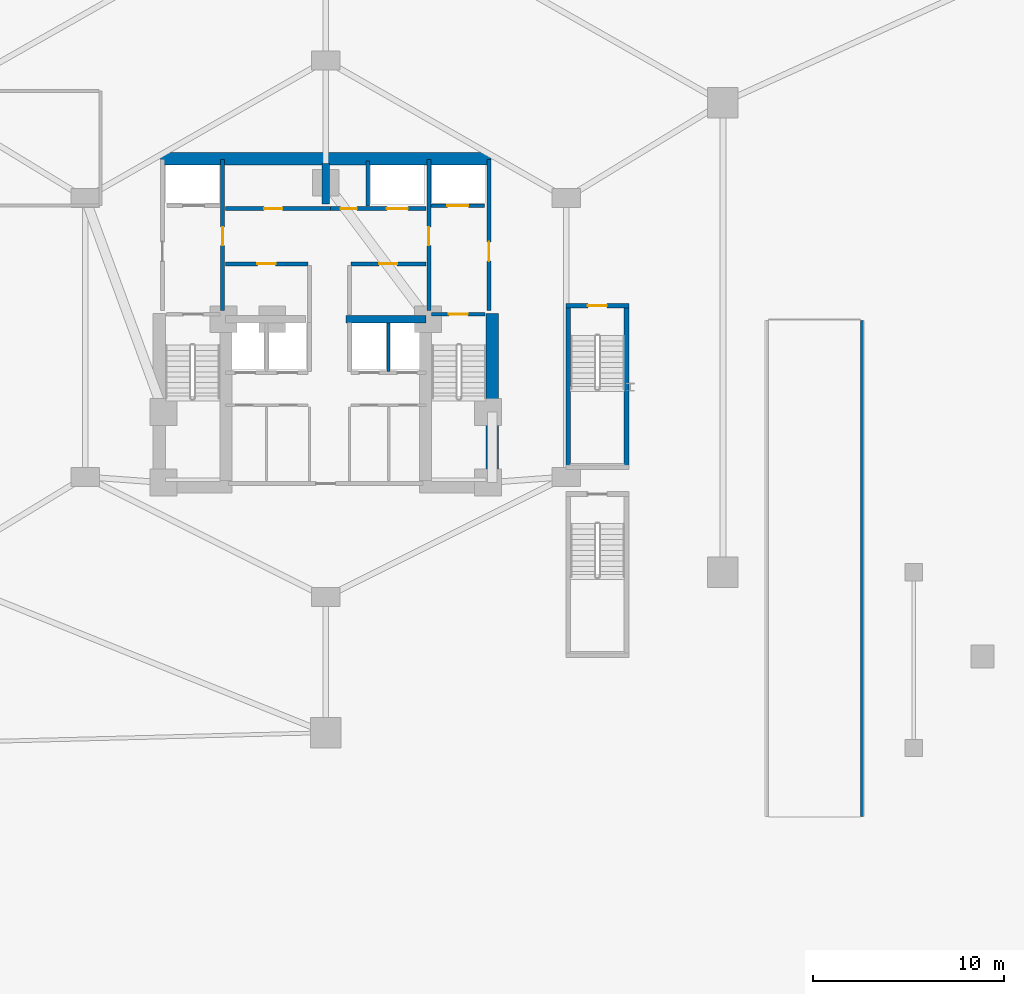
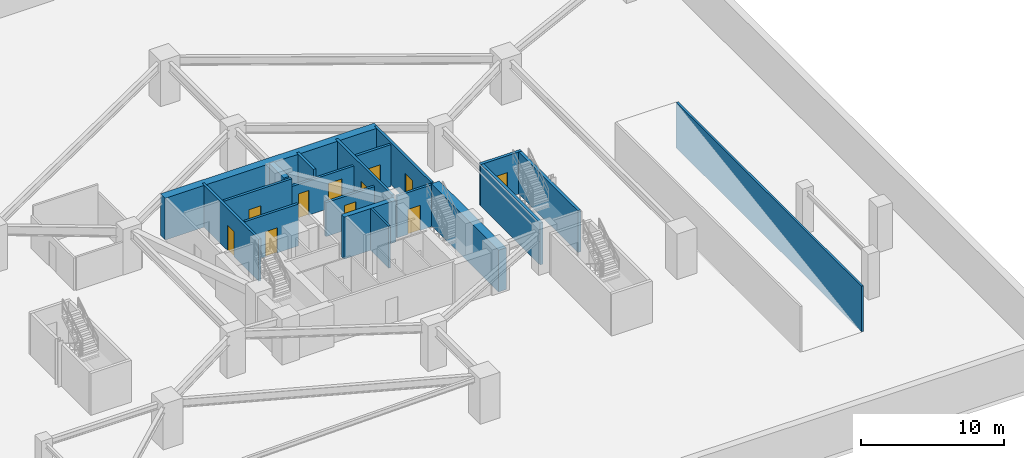
# One storey, part 7 of 12: 19 walls, 11 doors, 11 openings.
"""IFC4 building model written with IfcOpenShell, lengths in metres."""

from ifc_helpers import new_model, si_unit, direction, frame, frame_2d, origin, place, context, subcontext, project, spatial, rectangle, extrude, material, layer, layer_set, type_object, element, fill, save


model = new_model("IFC4")

# Units and contexts
model_context = context("Model", 3, precision=1e-05, world=origin(), true_north=direction((0.0, 1.0)))
body_context = subcontext(model_context, "Body", "Model", "MODEL_VIEW")
ifc_project = project(units=[si_unit("LENGTHUNIT", "METRE"), si_unit("AREAUNIT", "SQUARE_METRE"), si_unit("VOLUMEUNIT", "CUBIC_METRE"), si_unit("PLANEANGLEUNIT", "RADIAN"), si_unit("MASSUNIT", "GRAM", prefix="KILO")], contexts=[model_context])

# Site, building, storey
site_placement = place(None, origin())
site = spatial("IfcSite", under=ifc_project, at=site_placement, CompositionType="ELEMENT")
building_placement = place(site_placement, origin())
building = spatial("IfcBuilding", under=site, at=building_placement, Name="Miruveldt Soraemaru", CompositionType="ELEMENT")
storey_placement = place(building_placement, frame((0.0, 0.0, -7.800048828125)))
storey = spatial("IfcBuildingStorey", under=building, at=storey_placement, Name="B2", CompositionType="ELEMENT", Elevation=-7.800048828125)

# Walls
ifc_material_1 = material(Name="Concrete C70/85 (70 MPa)", Category="concrete")
ifc_layer_1 = layer(ifc_material_1, 0.5, Name="Concrete C70/85 (70 MPa)", Category="concrete")
ifc_layer_set_1 = layer_set([ifc_layer_1], Name="Concrete C70/85 (70 MPa)")
wall_type_1 = type_object("IfcWallType", Name="WALL-BW-500", PredefinedType="SHEAR", material=ifc_layer_set_1)
wall_1_placement = place(storey_placement, frame((44.0, 50.10009765625, 0.0), z_axis=(0.0, 0.0, 1.0), x_axis=(0.0, 1.0, 0.0)))
element("IfcWall", 1, at=wall_1_placement, inside=storey, type_object=wall_type_1, Name="B2 Core Buttress Shear Wall BN", PredefinedType="SHEAR", context=body_context, shape_type="SweptSolid", body=[
    extrude(rectangle(XDim=2.099853515625, YDim=0.39990234375, at=frame_2d((1.0498046875, 0.0))), origin(), (0.0, 0.0, 1.0), 3.580078125),
])
wall_2_placement = place(storey_placement, frame((45.050048828125, 44.050048828125, 0.0), z_axis=(0.0, 0.0, 1.0), x_axis=(1.0, 0.0, 0.0)))
element("IfcWall", 2, at=wall_2_placement, inside=storey, type_object=wall_type_1, Name="B2 Core Buttress Shear Wall BE", PredefinedType="SHEAR", context=body_context, shape_type="SweptSolid", body=[
    extrude(rectangle(XDim=4.199951171875, YDim=0.39990234375, at=frame_2d((2.10009765625, 0.0))), origin(), (0.0, 0.0, 1.0), 3.580078125),
])
ifc_material_2 = material(Name="Concrete C50/60 (50 MPa)", Category="concrete")
ifc_layer_2 = layer(ifc_material_2, 0.419921875, Name="Concrete C50/60 (50 MPa)", Category="concrete")
ifc_layer_set_2 = layer_set([ifc_layer_2], Name="Concrete C50/60 (50 MPa)")
wall_type_2 = type_object("IfcWallType", Name="WALL-CW-420", PredefinedType="SHEAR", material=ifc_layer_set_2)
wall_3_placement = place(storey_placement, frame((72.080078125, 18.02001953125, 0.0), z_axis=(0.0, 0.0, 1.0), x_axis=(0.0, 1.0, 0.0)))
element("IfcWall", 3, at=wall_3_placement, inside=storey, type_object=wall_type_2, Name="B2 Car Park Ramp Shaft Structural Side Wall E", PredefinedType="SHEAR", context=body_context, shape_type="SweptSolid", body=[
    extrude(rectangle(XDim=25.9599609375, YDim=0.159912109375, at=frame_2d((12.97998046875, 0.0))), origin(), (0.0, 0.0, 1.0), 3.900146484375),
])

# Wall, opening, door
wall_4_placement = place(storey_placement, frame((56.580078125, 44.75, 0.0), z_axis=(0.0, 0.0, 1.0), x_axis=(1.0, 0.0, 0.0)))
wall_4 = element("IfcWall", 4, at=wall_4_placement, inside=storey, type_object=wall_type_2, Name="B2 Podium Garden Feature Stair ST-4 Structural Shaft Wall N", PredefinedType="SHEAR", context=body_context, shape_type="SweptSolid", body=[
    extrude(rectangle(XDim=3.2900390625, YDim=0.239990234375, at=frame_2d((1.64501953125, 0.0))), origin(), (0.0, 0.0, 1.0), 3.580078125),
])
opening_1_placement = place(wall_4_placement, frame((1.14501953125, 0.0, 0.0)))
opening_1 = element("IfcOpeningElement", 5, at=opening_1_placement, cuts=wall_4, Name="Opening FD1", PredefinedType="OPENING", context=body_context, shape_type="SweptSolid", body=[
    extrude(rectangle(XDim=1.0, YDim=2.14990234375, at=frame_2d((0.5, 1.074951171875))), frame((0.0, 0.1298828125, 0.0), z_axis=(0.0, -1.0, 0.0), x_axis=(1.0, 0.0, 0.0)), (0.0, 0.0, 1.0), 0.260009765625),
])
ifc_material_3 = material(Name="Anodised aluminium EN AW-6063 T6", Category="aluminium")
door_type_1 = type_object("IfcDoorType", Name="DOOR-FD1-1000", OperationType="NOTDEFINED", PredefinedType="DOOR", material=ifc_material_3)
door_1_placement = place(opening_1_placement, frame((1.0, 0.0, 0.0), z_axis=(0.0, 0.0, 1.0), x_axis=(-1.0, 0.0, 0.0)))
door_1 = element("IfcDoor", 6, at=door_1_placement, inside=storey, type_object=door_type_1, Name="B2 Podium Garden Feature Stair ST-4 Fire Door", OperationType="SINGLE_SWING_LEFT", OverallHeight=2.14990234375, OverallWidth=1.0, PredefinedType="DOOR", context=body_context, shape_type="SweptSolid", body=[
    extrude(rectangle(XDim=1.0, YDim=2.14990234375, at=frame_2d((0.5, 1.074951171875))), frame((0.0, 0.02490234375, 0.0), z_axis=(0.0, -1.0, 0.0), x_axis=(1.0, 0.0, 0.0)), (0.0, 0.0, 1.0), 0.050048828125),
])
fill(opening_1, door_1)

# Walls
for number, where, z_axis, x_axis, name in (
    (7, (56.699951171875, 36.35009765625, 0.0), (0.0, 0.0, 1.0), (0.0, 1.0, 0.0), "B2 Podium Garden Feature Stair ST-4 Structural Shaft Wall W"),
    (8, (59.75, 36.35009765625, 0.0), (0.0, 0.0, 1.0), (0.0, 1.0, 0.0), "B2 Podium Garden Feature Stair ST-4 Structural Shaft Wall E"),
):
    element("IfcWall", number, at=place(storey_placement, frame(where, z_axis=z_axis, x_axis=x_axis)), inside=storey, type_object=wall_type_2, Name=name, PredefinedType="SHEAR", context=body_context, shape_type="SweptSolid", body=[
        extrude(rectangle(XDim=8.349853515625, YDim=0.239990234375, at=frame_2d((4.1748046875, 0.0))), origin(), (0.0, 0.0, 1.0), 3.580078125),
    ])
ifc_material_4 = material(Name="Concrete C80/95 (80 MPa)", Category="concrete")
ifc_layer_3 = layer(ifc_material_4, 0.64990234375, Name="Concrete C80/95 (80 MPa)", Category="concrete")
ifc_layer_set_3 = layer_set([ifc_layer_3], Name="Concrete C80/95 (80 MPa)")
wall_type_3 = type_object("IfcWallType", Name="WALL-CW-650", PredefinedType="SHEAR", material=ifc_layer_set_3)
wall_5_placement = place(storey_placement, frame((35.35009765625, 52.449951171875, 0.0), z_axis=(0.0, 0.0, 1.0), x_axis=(1.0, 0.0, 0.0)))
element("IfcWall", 9, at=wall_5_placement, inside=storey, type_object=wall_type_3, Name="B2 Central Core Shear Wall N", PredefinedType="SHEAR", context=body_context, shape_type="SweptSolid", body=[
    extrude(rectangle(XDim=17.2998046875, YDim=0.64990234375, at=frame_2d((8.64990234375, 0.0))), origin(), (0.0, 0.0, 1.0), 3.580078125),
])
wall_6_placement = place(storey_placement, frame((52.72509765625, 34.949951171875, 0.0), z_axis=(0.0, 0.0, 1.0), x_axis=(0.0, 1.0, 0.0)))
element("IfcWall", 10, at=wall_6_placement, inside=storey, type_object=wall_type_3, Name="B2 Central Core Shear Wall E1", PredefinedType="SHEAR", context=body_context, shape_type="SweptSolid", body=[
    extrude(rectangle(XDim=9.400146484375, YDim=0.64990234375, at=frame_2d((4.7001953125, 0.0))), origin(), (0.0, 0.0, 1.0), 3.580078125),
])
ifc_material_5 = material(Name="Concrete C40/50 (40 MPa)", Category="concrete")
ifc_layer_4 = layer(ifc_material_5, 0.159912109375, Name="Concrete C40/50 (40 MPa)", Category="concrete")
ifc_layer_set_4 = layer_set([ifc_layer_4], Name="Concrete C40/50 (40 MPa)")
wall_type_4 = type_object("IfcWallType", Name="WALL-INT-RC160", PredefinedType="SOLIDWALL", material=ifc_layer_set_4)
wall_7_placement = place(storey_placement, frame((47.280029296875, 41.320068359375, 0.0), z_axis=(0.0, 0.0, 1.0), x_axis=(0.0, 1.0, 0.0)))
element("IfcWall", 11, at=wall_7_placement, inside=storey, type_object=wall_type_4, Name="B2 Core Compartment Wall PLL-DE", PredefinedType="SOLIDWALL", context=body_context, shape_type="SweptSolid", body=[
    extrude(rectangle(XDim=2.530029296875, YDim=0.159912109375, at=frame_2d((1.26513671875, 0.0))), origin(), (0.0, 0.0, 1.0), 3.580078125),
])

# Wall, opening, door
ifc_layer_5 = layer(ifc_material_5, 0.199951171875, Name="Concrete C40/50 (40 MPa)", Category="concrete")
ifc_layer_set_5 = layer_set([ifc_layer_5], Name="Concrete C40/50 (40 MPa)")
wall_type_5 = type_object("IfcWallType", Name="WALL-INT-RC200", PredefinedType="SOLIDWALL", material=ifc_layer_set_5)
wall_8_placement = place(storey_placement, frame((52.550048828125, 44.5, 0.0), z_axis=(0.0, 0.0, 1.0), x_axis=(0.0, 1.0, 0.0)))
wall_8 = element("IfcWall", 12, at=wall_8_placement, inside=storey, type_object=wall_type_5, Name="B2 Core Compartment Wall FFE-OUT", PredefinedType="SOLIDWALL", context=body_context, shape_type="SweptSolid", body=[
    extrude(rectangle(XDim=7.919921875, YDim=0.199951171875, at=frame_2d((3.9599609375, 0.0))), origin(), (0.0, 0.0, 1.0), 3.580078125),
])
opening_2_placement = place(wall_8_placement, frame((2.60009765625, 0.0, 0.0)))
opening_2 = element("IfcOpeningElement", 13, at=opening_2_placement, cuts=wall_8, Name="Opening FD1", PredefinedType="OPENING", context=body_context, shape_type="SweptSolid", body=[
    extrude(rectangle(XDim=1.0, YDim=2.14990234375, at=frame_2d((0.5, 1.074951171875))), frame((0.0, 0.10986328125, 0.0), z_axis=(0.0, -1.0, 0.0), x_axis=(1.0, 0.0, 0.0)), (0.0, 0.0, 1.0), 0.219970703125),
])
door_2_placement = place(opening_2_placement, frame((1.0, 0.0, 0.0), z_axis=(0.0, 0.0, 1.0), x_axis=(-1.0, 0.0, 0.0)))
door_2 = element("IfcDoor", 14, at=door_2_placement, inside=storey, type_object=door_type_1, Name="B2 East Firefighting Lobby Exit Door", OperationType="SINGLE_SWING_RIGHT", OverallHeight=2.14990234375, OverallWidth=1.0, PredefinedType="DOOR", context=body_context, shape_type="SweptSolid", body=[
    extrude(rectangle(XDim=1.0, YDim=2.14990234375, at=frame_2d((0.5, 1.074951171875))), frame((0.0, 0.02490234375, 0.0), z_axis=(0.0, -1.0, 0.0), x_axis=(1.0, 0.0, 0.0)), (0.0, 0.0, 1.0), 0.050048828125),
])
fill(opening_2, door_2)

wall_9_placement = place(storey_placement, frame((38.60009765625, 44.5, 0.0), z_axis=(0.0, 0.0, 1.0), x_axis=(0.0, 1.0, 0.0)))
wall_9 = element("IfcWall", 15, at=wall_9_placement, inside=storey, type_object=wall_type_5, Name="B2 Core Compartment Wall FFW-IN", PredefinedType="SOLIDWALL", context=body_context, shape_type="SweptSolid", body=[
    extrude(rectangle(XDim=7.919921875, YDim=0.199951171875, at=frame_2d((3.9599609375, 0.0))), origin(), (0.0, 0.0, 1.0), 3.580078125),
])
opening_3_placement = place(wall_9_placement, frame((3.425048828125, 0.0, 0.0)))
opening_3 = element("IfcOpeningElement", 16, at=opening_3_placement, cuts=wall_9, Name="Opening FD2", PredefinedType="OPENING", context=body_context, shape_type="SweptSolid", body=[
    extrude(rectangle(XDim=0.949951171875, YDim=2.14990234375, at=frame_2d((0.47509765625, 1.074951171875))), frame((0.0, 0.10986328125, 0.0), z_axis=(0.0, -1.0, 0.0), x_axis=(1.0, 0.0, 0.0)), (0.0, 0.0, 1.0), 0.219970703125),
])
door_type_2 = type_object("IfcDoorType", Name="DOOR-FD2-950", OperationType="NOTDEFINED", PredefinedType="DOOR", material=ifc_material_3)
door_3_placement = place(opening_3_placement, frame((0.949951171875, 0.0, 0.0), z_axis=(0.0, 0.0, 1.0), x_axis=(-1.0, 0.0, 0.0)))
door_3 = element("IfcDoor", 17, at=door_3_placement, inside=storey, type_object=door_type_2, Name="B2 Lift Lobby to West Fire Lobby Door", OperationType="SINGLE_SWING_RIGHT", OverallHeight=2.14990234375, OverallWidth=0.949951171875, PredefinedType="DOOR", context=body_context, shape_type="SweptSolid", body=[
    extrude(rectangle(XDim=0.949951171875, YDim=2.14990234375, at=frame_2d((0.47509765625, 1.074951171875))), frame((0.0, 0.02490234375, 0.0), z_axis=(0.0, -1.0, 0.0), x_axis=(1.0, 0.0, 0.0)), (0.0, 0.0, 1.0), 0.050048828125),
])
fill(opening_3, door_3)

wall_10_placement = place(storey_placement, frame((49.39990234375, 44.5, 0.0), z_axis=(0.0, 0.0, 1.0), x_axis=(0.0, 1.0, 0.0)))
wall_10 = element("IfcWall", 18, at=wall_10_placement, inside=storey, type_object=wall_type_5, Name="B2 Core Compartment Wall FFE-IN", PredefinedType="SOLIDWALL", context=body_context, shape_type="SweptSolid", body=[
    extrude(rectangle(XDim=7.919921875, YDim=0.199951171875, at=frame_2d((3.9599609375, 0.0))), origin(), (0.0, 0.0, 1.0), 3.580078125),
])
opening_4_placement = place(wall_10_placement, frame((3.425048828125, 0.0, 0.0)))
opening_4 = element("IfcOpeningElement", 19, at=opening_4_placement, cuts=wall_10, Name="Opening FD2", PredefinedType="OPENING", context=body_context, shape_type="SweptSolid", body=[
    extrude(rectangle(XDim=0.949951171875, YDim=2.14990234375, at=frame_2d((0.47509765625, 1.074951171875))), frame((0.0, 0.10986328125, 0.0), z_axis=(0.0, -1.0, 0.0), x_axis=(1.0, 0.0, 0.0)), (0.0, 0.0, 1.0), 0.219970703125),
])
door_4_placement = place(opening_4_placement, origin())
door_4 = element("IfcDoor", 20, at=door_4_placement, inside=storey, type_object=door_type_2, Name="B2 Lift Lobby to East Fire Lobby Door", OperationType="SINGLE_SWING_LEFT", OverallHeight=2.14990234375, OverallWidth=0.949951171875, PredefinedType="DOOR", context=body_context, shape_type="SweptSolid", body=[
    extrude(rectangle(XDim=0.949951171875, YDim=2.14990234375, at=frame_2d((0.47509765625, 1.074951171875))), frame((0.0, 0.02490234375, 0.0), z_axis=(0.0, -1.0, 0.0), x_axis=(1.0, 0.0, 0.0)), (0.0, 0.0, 1.0), 0.050048828125),
])
fill(opening_4, door_4)

wall_11_placement = place(storey_placement, frame((38.75, 49.85009765625, 0.0), z_axis=(0.0, 0.0, 1.0), x_axis=(1.0, 0.0, 0.0)))
wall_11 = element("IfcWall", 21, at=wall_11_placement, inside=storey, type_object=wall_type_5, Name="B2 Core Compartment Wall ROWA-SW", PredefinedType="SOLIDWALL", context=body_context, shape_type="SweptSolid", body=[
    extrude(rectangle(XDim=5.5, YDim=0.199951171875, at=frame_2d((2.75, 0.0))), origin(), (0.0, 0.0, 1.0), 3.580078125),
])
opening_5_placement = place(wall_11_placement, frame((2.02490234375, 0.0, 0.0)))
opening_5 = element("IfcOpeningElement", 22, at=opening_5_placement, cuts=wall_11, Name="Opening FD2", PredefinedType="OPENING", context=body_context, shape_type="SweptSolid", body=[
    extrude(rectangle(XDim=0.949951171875, YDim=2.14990234375, at=frame_2d((0.47509765625, 1.074951171875))), frame((0.0, 0.10986328125, 0.0), z_axis=(0.0, -1.0, 0.0), x_axis=(1.0, 0.0, 0.0)), (0.0, 0.0, 1.0), 0.219970703125),
])
door_5_placement = place(opening_5_placement, origin())
door_5 = element("IfcDoor", 23, at=door_5_placement, inside=storey, type_object=door_type_2, Name="B2 Fire Door", OperationType="SINGLE_SWING_LEFT", OverallHeight=2.14990234375, OverallWidth=0.949951171875, PredefinedType="DOOR", context=body_context, shape_type="SweptSolid", body=[
    extrude(rectangle(XDim=0.949951171875, YDim=2.14990234375, at=frame_2d((0.47509765625, 1.074951171875))), frame((0.0, 0.02490234375, 0.0), z_axis=(0.0, -1.0, 0.0), x_axis=(1.0, 0.0, 0.0)), (0.0, 0.0, 1.0), 0.050048828125),
])
fill(opening_5, door_5)

# Wall, openings, doors
wall_12_placement = place(storey_placement, frame((44.25, 49.85009765625, 0.0), z_axis=(0.0, 0.0, 1.0), x_axis=(1.0, 0.0, 0.0)))
wall_12 = element("IfcWall", 24, at=wall_12_placement, inside=storey, type_object=wall_type_5, Name="B2 Core Compartment Wall ROWA-SE", PredefinedType="SOLIDWALL", context=body_context, shape_type="SweptSolid", body=[
    extrude(rectangle(XDim=5.0, YDim=0.199951171875, at=frame_2d((2.5, 0.0))), origin(), (0.0, 0.0, 1.0), 2.91796875),
])
opening_6_placement = place(wall_12_placement, frame((0.52490234375, 0.0, 0.0)))
opening_6 = element("IfcOpeningElement", 25, at=opening_6_placement, cuts=wall_12, Name="Opening FD3", PredefinedType="OPENING", context=body_context, shape_type="SweptSolid", body=[
    extrude(rectangle(XDim=0.85009765625, YDim=2.10009765625, at=frame_2d((0.425048828125, 1.050048828125))), frame((0.0, 0.10986328125, 0.0), z_axis=(0.0, -1.0, 0.0), x_axis=(1.0, 0.0, 0.0)), (0.0, 0.0, 1.0), 0.219970703125),
])
opening_7_placement = place(wall_12_placement, frame((2.949951171875, 0.0, 0.0)))
opening_7 = element("IfcOpeningElement", 26, at=opening_7_placement, cuts=wall_12, Name="Opening LD2", PredefinedType="OPENING", context=body_context, shape_type="SweptSolid", body=[
    extrude(rectangle(XDim=1.10009765625, YDim=2.14990234375, at=frame_2d((0.550048828125, 1.074951171875))), frame((0.0, 0.10986328125, 0.0), z_axis=(0.0, -1.0, 0.0), x_axis=(1.0, 0.0, 0.0)), (0.0, 0.0, 1.0), 0.219970703125),
])
door_type_3 = type_object("IfcDoorType", Name="DOOR-FD3-850", OperationType="NOTDEFINED", PredefinedType="DOOR", material=ifc_material_3)
door_6_placement = place(opening_6_placement, origin())
door_6 = element("IfcDoor", 27, at=door_6_placement, inside=storey, type_object=door_type_3, Name="B2 Fire Door", OperationType="SINGLE_SWING_LEFT", OverallHeight=2.10009765625, OverallWidth=0.85009765625, PredefinedType="DOOR", context=body_context, shape_type="SweptSolid", body=[
    extrude(rectangle(XDim=0.85009765625, YDim=2.10009765625, at=frame_2d((0.425048828125, 1.050048828125))), frame((0.0, 0.02490234375, 0.0), z_axis=(0.0, -1.0, 0.0), x_axis=(1.0, 0.0, 0.0)), (0.0, 0.0, 1.0), 0.050048828125),
])
fill(opening_6, door_6)
door_type_4 = type_object("IfcDoorType", Name="DOOR-LD2-1100", OperationType="SLIDING_TO_LEFT", PredefinedType="DOOR", material=ifc_material_3)
door_7_placement = place(opening_7_placement, origin())
door_7 = element("IfcDoor", 28, at=door_7_placement, inside=storey, type_object=door_type_4, Name="B2 SL-1 Landing Door", OperationType="SLIDING_TO_LEFT", OverallHeight=2.14990234375, OverallWidth=1.10009765625, PredefinedType="DOOR", context=body_context, shape_type="SweptSolid", body=[
    extrude(rectangle(XDim=1.10009765625, YDim=2.14990234375, at=frame_2d((0.550048828125, 1.074951171875))), frame((0.0, 0.02490234375, 0.0), z_axis=(0.0, -1.0, 0.0), x_axis=(1.0, 0.0, 0.0)), (0.0, 0.0, 1.0), 0.050048828125),
])
fill(opening_7, door_7)

# Wall, opening, door
wall_13_placement = place(storey_placement, frame((38.75, 46.949951171875, 0.0), z_axis=(0.0, 0.0, 1.0), x_axis=(1.0, 0.0, 0.0)))
wall_13 = element("IfcWall", 29, at=wall_13_placement, inside=storey, type_object=wall_type_5, Name="B2 Core Compartment Wall MBW-N", PredefinedType="SOLIDWALL", context=body_context, shape_type="SweptSolid", body=[
    extrude(rectangle(XDim=4.330078125, YDim=0.199951171875, at=frame_2d((2.1650390625, 0.0))), origin(), (0.0, 0.0, 1.0), 3.580078125),
])
opening_8_placement = place(wall_13_placement, frame((1.675048828125, 0.0, 0.0)))
opening_8 = element("IfcOpeningElement", 30, at=opening_8_placement, cuts=wall_13, Name="Opening FD2", PredefinedType="OPENING", context=body_context, shape_type="SweptSolid", body=[
    extrude(rectangle(XDim=0.949951171875, YDim=2.14990234375, at=frame_2d((0.47509765625, 1.074951171875))), frame((0.0, 0.10986328125, 0.0), z_axis=(0.0, -1.0, 0.0), x_axis=(1.0, 0.0, 0.0)), (0.0, 0.0, 1.0), 0.219970703125),
])
door_8_placement = place(opening_8_placement, origin())
door_8 = element("IfcDoor", 31, at=door_8_placement, inside=storey, type_object=door_type_2, Name="B2 Fire Door", OperationType="SINGLE_SWING_LEFT", OverallHeight=2.14990234375, OverallWidth=0.949951171875, PredefinedType="DOOR", context=body_context, shape_type="SweptSolid", body=[
    extrude(rectangle(XDim=0.949951171875, YDim=2.14990234375, at=frame_2d((0.47509765625, 1.074951171875))), frame((0.0, 0.02490234375, 0.0), z_axis=(0.0, -1.0, 0.0), x_axis=(1.0, 0.0, 0.0)), (0.0, 0.0, 1.0), 0.050048828125),
])
fill(opening_8, door_8)

wall_14_placement = place(storey_placement, frame((45.320068359375, 46.949951171875, 0.0), z_axis=(0.0, 0.0, 1.0), x_axis=(1.0, 0.0, 0.0)))
wall_14 = element("IfcWall", 32, at=wall_14_placement, inside=storey, type_object=wall_type_5, Name="B2 Core Compartment Wall MBE-N", PredefinedType="SOLIDWALL", context=body_context, shape_type="SweptSolid", body=[
    extrude(rectangle(XDim=3.929931640625, YDim=0.199951171875, at=frame_2d((1.96484375, 0.0))), origin(), (0.0, 0.0, 1.0), 2.91796875),
])
opening_9_placement = place(wall_14_placement, frame((1.47509765625, 0.0, 0.0)))
opening_9 = element("IfcOpeningElement", 33, at=opening_9_placement, cuts=wall_14, Name="Opening FD2", PredefinedType="OPENING", context=body_context, shape_type="SweptSolid", body=[
    extrude(rectangle(XDim=0.949951171875, YDim=2.14990234375, at=frame_2d((0.47509765625, 1.074951171875))), frame((0.0, 0.10986328125, 0.0), z_axis=(0.0, -1.0, 0.0), x_axis=(1.0, 0.0, 0.0)), (0.0, 0.0, 1.0), 0.219970703125),
])
door_9_placement = place(opening_9_placement, origin())
door_9 = element("IfcDoor", 34, at=door_9_placement, inside=storey, type_object=door_type_2, Name="B2 Fire Door", OperationType="SINGLE_SWING_LEFT", OverallHeight=2.14990234375, OverallWidth=0.949951171875, PredefinedType="DOOR", context=body_context, shape_type="SweptSolid", body=[
    extrude(rectangle(XDim=0.949951171875, YDim=2.14990234375, at=frame_2d((0.47509765625, 1.074951171875))), frame((0.0, 0.02490234375, 0.0), z_axis=(0.0, -1.0, 0.0), x_axis=(1.0, 0.0, 0.0)), (0.0, 0.0, 1.0), 0.050048828125),
])
fill(opening_9, door_9)

wall_15_placement = place(storey_placement, frame((49.550048828125, 44.320068359375, 0.0), z_axis=(0.0, 0.0, 1.0), x_axis=(1.0, 0.0, 0.0)))
wall_15 = element("IfcWall", 35, at=wall_15_placement, inside=storey, type_object=wall_type_5, Name="B2 Core Compartment Wall ST2-N", PredefinedType="SOLIDWALL", context=body_context, shape_type="SweptSolid", body=[
    extrude(rectangle(XDim=2.800048828125, YDim=0.199951171875, at=frame_2d((1.39990234375, 0.0))), origin(), (0.0, 0.0, 1.0), 3.580078125),
])
opening_10_placement = place(wall_15_placement, frame((0.89990234375, 0.0, 0.0)))
opening_10 = element("IfcOpeningElement", 36, at=opening_10_placement, cuts=wall_15, Name="Opening FD1", PredefinedType="OPENING", context=body_context, shape_type="SweptSolid", body=[
    extrude(rectangle(XDim=1.0, YDim=2.14990234375, at=frame_2d((0.5, 1.074951171875))), frame((0.0, 0.10986328125, 0.0), z_axis=(0.0, -1.0, 0.0), x_axis=(1.0, 0.0, 0.0)), (0.0, 0.0, 1.0), 0.219970703125),
])
door_10_placement = place(opening_10_placement, frame((1.0, 0.0, 0.0), z_axis=(0.0, 0.0, 1.0), x_axis=(-1.0, 0.0, 0.0)))
door_10 = element("IfcDoor", 37, at=door_10_placement, inside=storey, type_object=door_type_1, Name="B2 Stair ST-2 Fire Door", OperationType="SINGLE_SWING_RIGHT", OverallHeight=2.14990234375, OverallWidth=1.0, PredefinedType="DOOR", context=body_context, shape_type="SweptSolid", body=[
    extrude(rectangle(XDim=1.0, YDim=2.14990234375, at=frame_2d((0.5, 1.074951171875))), frame((0.0, 0.02490234375, 0.0), z_axis=(0.0, -1.0, 0.0), x_axis=(1.0, 0.0, 0.0)), (0.0, 0.0, 1.0), 0.050048828125),
])
fill(opening_10, door_10)

wall_16_placement = place(storey_placement, frame((49.52001953125, 50.0, 0.0), z_axis=(0.0, 0.0, 1.0), x_axis=(1.0, 0.0, 0.0)))
wall_16 = element("IfcWall", 38, at=wall_16_placement, inside=storey, type_object=wall_type_5, Name="B2 Core Compartment Wall FFL2-S", PredefinedType="SOLIDWALL", context=body_context, shape_type="SweptSolid", body=[
    extrude(rectangle(XDim=2.800048828125, YDim=0.199951171875, at=frame_2d((1.39990234375, 0.0))), origin(), (0.0, 0.0, 1.0), 3.580078125),
])
opening_11_placement = place(wall_16_placement, frame((0.85009765625, 0.0, 0.0)))
opening_11 = element("IfcOpeningElement", 39, at=opening_11_placement, cuts=wall_16, Name="Opening LD2", PredefinedType="OPENING", context=body_context, shape_type="SweptSolid", body=[
    extrude(rectangle(XDim=1.10009765625, YDim=2.14990234375, at=frame_2d((0.550048828125, 1.074951171875))), frame((0.0, 0.10986328125, 0.0), z_axis=(0.0, -1.0, 0.0), x_axis=(1.0, 0.0, 0.0)), (0.0, 0.0, 1.0), 0.219970703125),
])
door_11_placement = place(opening_11_placement, origin())
door_11 = element("IfcDoor", 40, at=door_11_placement, inside=storey, type_object=door_type_4, Name="B2 FFL-2 Landing Door", OperationType="SLIDING_TO_LEFT", OverallHeight=2.14990234375, OverallWidth=1.10009765625, PredefinedType="DOOR", context=body_context, shape_type="SweptSolid", body=[
    extrude(rectangle(XDim=1.10009765625, YDim=2.14990234375, at=frame_2d((0.550048828125, 1.074951171875))), frame((0.0, 0.02490234375, 0.0), z_axis=(0.0, -1.0, 0.0), x_axis=(1.0, 0.0, 0.0)), (0.0, 0.0, 1.0), 0.050048828125),
])
fill(opening_11, door_11)

# Wall
wall_17_placement = place(storey_placement, frame((46.199951171875, 49.97998046875, 0.0), z_axis=(0.0, 0.0, 1.0), x_axis=(0.0, 1.0, 0.0)))
element("IfcWall", 41, at=wall_17_placement, inside=storey, type_object=wall_type_5, Name="B2 Core Compartment Wall BBM-DIV", PredefinedType="SOLIDWALL", context=body_context, shape_type="SweptSolid", body=[
    extrude(rectangle(XDim=2.3701171875, YDim=0.199951171875, at=frame_2d((1.18505859375, 0.0))), origin(), (0.0, 0.0, 1.0), 3.580078125),
])

save(model, "model.ifc")
